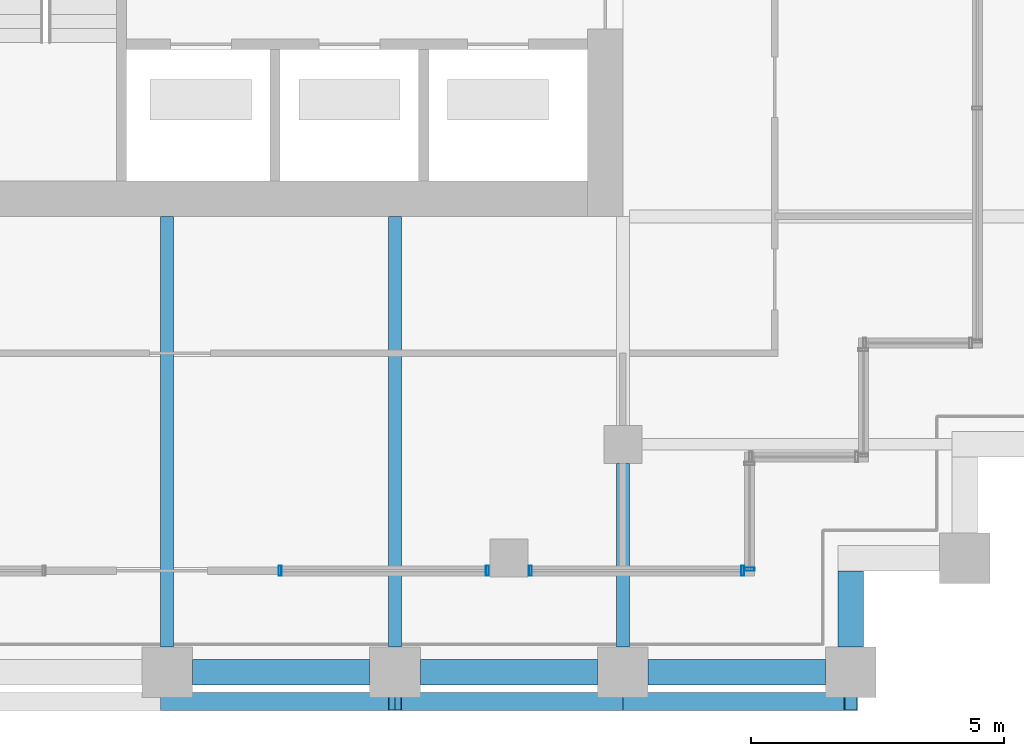
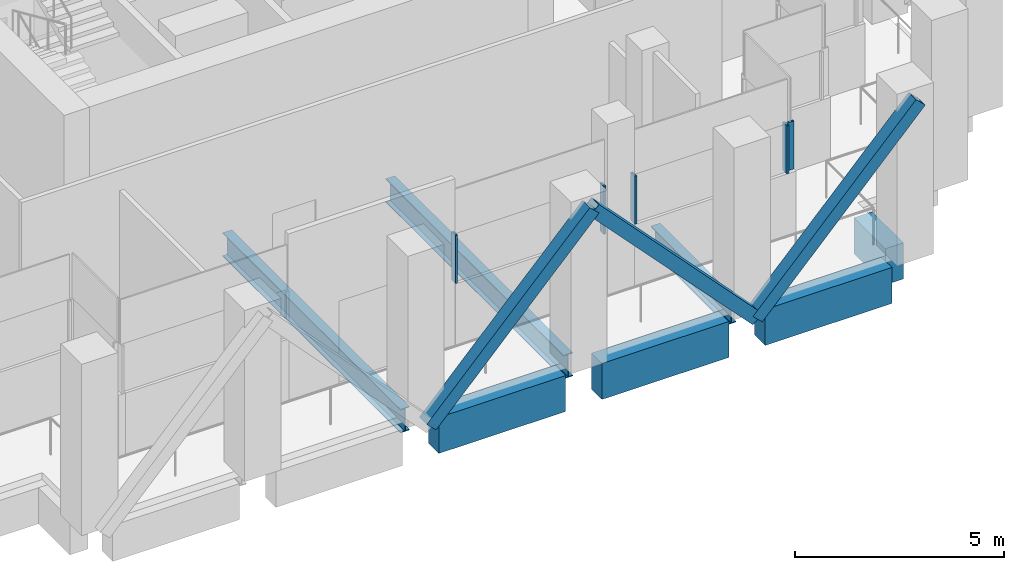
# One storey, part 23 of 48: 8 members, 7 beams, 3 elements without a shape of their own.
"""IFC4 building model written with IfcOpenShell, lengths in metres."""

from ifc_helpers import new_model, si_unit, direction, frame, origin, origin_2d, place, context, subcontext, project, spatial, rectangle, hollow_rectangle, i_section, extrude, material, material_profile, profile_set, type_object, element, aggregate, save


model = new_model("IFC4")

# Units and contexts
model_context = context("Model", 3, precision=1e-05, world=origin(), true_north=direction((0.0, 1.0)))
body_context = subcontext(model_context, "Body", "Model", "MODEL_VIEW")
ifc_project = project(units=[si_unit("LENGTHUNIT", "METRE"), si_unit("AREAUNIT", "SQUARE_METRE"), si_unit("VOLUMEUNIT", "CUBIC_METRE"), si_unit("PLANEANGLEUNIT", "RADIAN"), si_unit("MASSUNIT", "GRAM", prefix="KILO")], contexts=[model_context])

# Site, building, storey
site_placement = place(None, origin())
site = spatial("IfcSite", under=ifc_project, at=site_placement, CompositionType="ELEMENT")
building_placement = place(site_placement, origin())
building = spatial("IfcBuilding", under=site, at=building_placement, Name="Altepetl Exchange Towers", CompositionType="ELEMENT")
storey_placement = place(building_placement, frame((0.0, 0.0, 138.800048828125)))
storey = spatial("IfcBuildingStorey", under=building, at=storey_placement, Name="L34 Refuge and sky lobby", CompositionType="ELEMENT", Elevation=138.800048828125)

# Members
ifc_material_1 = material(Name="Steel S355", Category="steel")
ifc_material_profile_1 = material_profile(ifc_material_1, hollow_rectangle(XDim=0.35595703125, YDim=0.35595703125, WallThickness=0.014892578125, at=origin_2d()), Name="HSS356X356X15.9")
ifc_profile_set_1 = profile_set([ifc_material_profile_1], Name="Steel S355")
member_type_1 = type_object("IfcMemberType", Name="Belt diagonal HSS356X356X15.9", PredefinedType="BRACE", material=ifc_profile_set_1)
for number, where, z_axis, x_axis, name in (
    (1, (108.0, 26.419921875, 0.0), (0.687744647911, 0.0, 0.725952683906), (0.0, 1.0, 0.0), "brc:B:L34:002"),
    (2, (112.5, 26.419921875, 4.75), (0.687744647911, 0.0, -0.725952683906), (0.0, 1.0, 0.0), "brc:B:L34:003"),
    (3, (117.0, 26.419921875, 0.0), (0.687744647911, 0.0, 0.725952683906), (0.0, 1.0, 0.0), "brc:B:L34:004"),
):
    element("IfcMember", number, at=place(storey_placement, frame(where, z_axis=z_axis, x_axis=x_axis)), inside=storey, type_object=member_type_1, Name=name, PredefinedType="BRACE", context=body_context, shape_type="SweptSolid", body=[
        extrude(hollow_rectangle(XDim=0.35595703125, YDim=0.35595703125, WallThickness=0.014892578125, at=origin_2d()), origin(), (0.0, 0.0, 1.0), 6.543212890625),
    ])

# Beams
ifc_material_profile_2 = material_profile(ifc_material_1, i_section(OverallWidth=0.25390625, OverallDepth=0.68798828125, WebThickness=0.01318359375, FlangeThickness=0.02099609375, at=origin_2d()), Name="W27X102")
ifc_profile_set_2 = profile_set([ifc_material_profile_2], Name="Steel S355")
beam_type_1 = type_object("IfcBeamType", Name="Floor beam W27X102", PredefinedType="BEAM", material=ifc_profile_set_2)
for number, where, z_axis, x_axis, name in (
    (4, (108.0, 27.5, -0.5439453125), (0.0, 1.0, 0.0), (-1.0, 0.0, 0.0), "bm:B:L34:006"),
    (5, (112.5, 27.5, -0.5439453125), (0.0, 1.0, 0.0), (-1.0, 0.0, 0.0), "bm:B:L34:007"),
):
    element("IfcBeam", number, at=place(storey_placement, frame(where, z_axis=z_axis, x_axis=x_axis)), inside=storey, type_object=beam_type_1, Name=name, PredefinedType="BEAM", context=body_context, shape_type="SweptSolid", body=[
        extrude(i_section(OverallWidth=0.25390625, OverallDepth=0.68798828125, WebThickness=0.01318359375, FlangeThickness=0.02099609375, at=origin_2d()), origin(), (0.0, 0.0, 1.0), 8.5),
    ])
ifc_material_profile_3 = material_profile(ifc_material_1, i_section(OverallWidth=0.256103515625, OverallDepth=0.69189453125, WebThickness=0.014404296875, FlangeThickness=0.02294921875, at=origin_2d()), Name="W27X114")
ifc_profile_set_3 = profile_set([ifc_material_profile_3], Name="Steel S355")
beam_type_2 = type_object("IfcBeamType", Name="Girder W27X114", PredefinedType="BEAM", material=ifc_profile_set_3)
beam_1_placement = place(storey_placement, frame((117.0, 31.125, -0.546142578125), z_axis=(0.0, -1.0, 0.0), x_axis=(1.0, 0.0, 0.0)))
element("IfcBeam", 6, at=beam_1_placement, inside=storey, type_object=beam_type_2, Name="gd:B:L34:001", PredefinedType="BEAM", context=body_context, shape_type="SweptSolid", body=[
    extrude(i_section(OverallWidth=0.256103515625, OverallDepth=0.69189453125, WebThickness=0.014404296875, FlangeThickness=0.02294921875, at=origin_2d()), origin(), (0.0, 0.0, 1.0), 3.625),
])

# Curtain wall, members
ifc_material_2 = material(Name="Aluminium 6063-T6 glazing", Category="aluminium")
curtain_wall_type = type_object("IfcCurtainWallType", Name="Refuge slit glazing system", PredefinedType="NOTDEFINED", material=ifc_material_2)
curtain_wall_1_placement = place(storey_placement, origin())
curtain_wall_1 = element("IfcCurtainWall", 7, at=curtain_wall_1_placement, inside=storey, type_object=curtain_wall_type, Name="CW3 run", PredefinedType="NOTDEFINED")
ifc_material_3 = material(Name="Aluminium 6063-T6", Category="aluminium")
ifc_material_profile_4 = material_profile(ifc_material_3, hollow_rectangle(XDim=0.06005859375, YDim=0.199951171875, WallThickness=0.0029296875, at=origin_2d()), Name="Mullion 60x200 aluminium")
ifc_profile_set_4 = profile_set([ifc_material_profile_4], Name="Aluminium 6063-T6")
member_type_2 = type_object("IfcMemberType", Name="Mullion 60x200 aluminium", PredefinedType="MULLION", material=ifc_profile_set_4)
member_1_placement = place(storey_placement, frame((110.22998046875, 29.0, 1.800048828125)))
member_1 = element("IfcMember", 8, at=member_1_placement, type_object=member_type_2, Name="MU2 mullion", PredefinedType="MULLION", context=body_context, shape_type="SweptSolid", body=[
    extrude(hollow_rectangle(XDim=0.06005859375, YDim=0.199951171875, WallThickness=0.0029296875, at=origin_2d()), origin(), (0.0, 0.0, 1.0), 1.39990234375),
])
member_2_placement = place(storey_placement, frame((114.324951171875, 29.0, 1.800048828125)))
member_2 = element("IfcMember", 9, at=member_2_placement, type_object=member_type_2, Name="MU2 mullion", PredefinedType="MULLION", context=body_context, shape_type="SweptSolid", body=[
    extrude(hollow_rectangle(XDim=0.06005859375, YDim=0.199951171875, WallThickness=0.0029296875, at=origin_2d()), origin(), (0.0, 0.0, 1.0), 1.39990234375),
])
aggregate(curtain_wall_1, [member_1, member_2])

curtain_wall_2_placement = place(storey_placement, origin())
curtain_wall_2 = element("IfcCurtainWall", 10, at=curtain_wall_2_placement, inside=storey, type_object=curtain_wall_type, Name="CW3 run", PredefinedType="NOTDEFINED")
member_3_placement = place(storey_placement, frame((115.175048828125, 29.0, 1.800048828125)))
member_3 = element("IfcMember", 11, at=member_3_placement, type_object=member_type_2, Name="MU2 mullion", PredefinedType="MULLION", context=body_context, shape_type="SweptSolid", body=[
    extrude(hollow_rectangle(XDim=0.06005859375, YDim=0.199951171875, WallThickness=0.0029296875, at=origin_2d()), origin(), (0.0, 0.0, 1.0), 1.39990234375),
])
member_4_placement = place(storey_placement, frame((119.3701171875, 29.0, 1.800048828125)))
member_4 = element("IfcMember", 12, at=member_4_placement, type_object=member_type_2, Name="MU2 mullion", PredefinedType="MULLION", context=body_context, shape_type="SweptSolid", body=[
    extrude(hollow_rectangle(XDim=0.06005859375, YDim=0.199951171875, WallThickness=0.0029296875, at=origin_2d()), origin(), (0.0, 0.0, 1.0), 1.39990234375),
])
aggregate(curtain_wall_2, [member_3, member_4])

# Curtain wall, member
curtain_wall_3_placement = place(storey_placement, origin())
curtain_wall_3 = element("IfcCurtainWall", 13, at=curtain_wall_3_placement, inside=storey, type_object=curtain_wall_type, Name="CW3 run", PredefinedType="NOTDEFINED")
member_5_placement = place(storey_placement, frame((119.5, 29.030029296875, 1.800048828125), z_axis=(0.0, 0.0, 1.0), x_axis=(0.0, 1.0, 0.0)))
member_5 = element("IfcMember", 14, at=member_5_placement, type_object=member_type_2, Name="MU2 mullion", PredefinedType="MULLION", context=body_context, shape_type="SweptSolid", body=[
    extrude(hollow_rectangle(XDim=0.06005859375, YDim=0.199951171875, WallThickness=0.0029296875, at=origin_2d()), origin(), (0.0, 0.0, 1.0), 1.39990234375),
])
aggregate(curtain_wall_3, [member_5])

# Beams
ifc_material_4 = material(Name="Concrete C50/60 precast with cantera blanca facing", Category="concrete")
ifc_material_profile_5 = material_profile(ifc_material_4, rectangle(XDim=0.5, YDim=1.050048828125, at=origin_2d()), Name="500 x 1050")
ifc_profile_set_5 = profile_set([ifc_material_profile_5], Name="Concrete C50/60 precast with cantera blanca facing")
beam_type_3 = type_object("IfcBeamType", Name="Spandrel beam 500x1050 cantera blanca", PredefinedType="SPANDREL", material=ifc_profile_set_5)
beam_2_placement = place(storey_placement, frame((117.5, 27.0, -0.72509765625), z_axis=(1.0, 0.0, 0.0), x_axis=(0.0, 1.0, 0.0)))
element("IfcBeam", 15, at=beam_2_placement, inside=storey, type_object=beam_type_3, Name="sp:B:L34:004", PredefinedType="SPANDREL", context=body_context, shape_type="SweptSolid", body=[
    extrude(rectangle(XDim=0.5, YDim=1.050048828125, at=origin_2d()), origin(), (0.0, 0.0, 1.0), 3.5),
])
beam_3_placement = place(storey_placement, frame((121.5, 27.5, -0.72509765625), z_axis=(0.0, 1.0, 0.0), x_axis=(-1.0, 0.0, 0.0)))
element("IfcBeam", 16, at=beam_3_placement, inside=storey, type_object=beam_type_3, Name="sp:B:L34:005", PredefinedType="SPANDREL", context=body_context, shape_type="SweptSolid", body=[
    extrude(rectangle(XDim=0.5, YDim=1.050048828125, at=origin_2d()), origin(), (0.0, 0.0, 1.0), 1.5),
])
ifc_material_5 = material(Name="Concrete C50/60 precast with tezontle facing", Category="concrete")
ifc_material_profile_6 = material_profile(ifc_material_5, rectangle(XDim=0.5, YDim=1.050048828125, at=origin_2d()), Name="500 x 1050")
ifc_profile_set_6 = profile_set([ifc_material_profile_6], Name="Concrete C50/60 precast with tezontle facing")
beam_type_4 = type_object("IfcBeamType", Name="Spandrel beam 500x1050 tezontle", PredefinedType="SPANDREL", material=ifc_profile_set_6)
for number, where, z_axis, x_axis, name in (
    (17, (108.5, 27.0, -0.72509765625), (1.0, 0.0, 0.0), (0.0, 1.0, 0.0), "sp:B:L34:002"),
    (18, (113.0, 27.0, -0.72509765625), (1.0, 0.0, 0.0), (0.0, 1.0, 0.0), "sp:B:L34:003"),
):
    element("IfcBeam", number, at=place(storey_placement, frame(where, z_axis=z_axis, x_axis=x_axis)), inside=storey, type_object=beam_type_4, Name=name, PredefinedType="SPANDREL", context=body_context, shape_type="SweptSolid", body=[
        extrude(rectangle(XDim=0.5, YDim=1.050048828125, at=origin_2d()), origin(), (0.0, 0.0, 1.0), 3.5),
    ])

save(model, "model.ifc")
